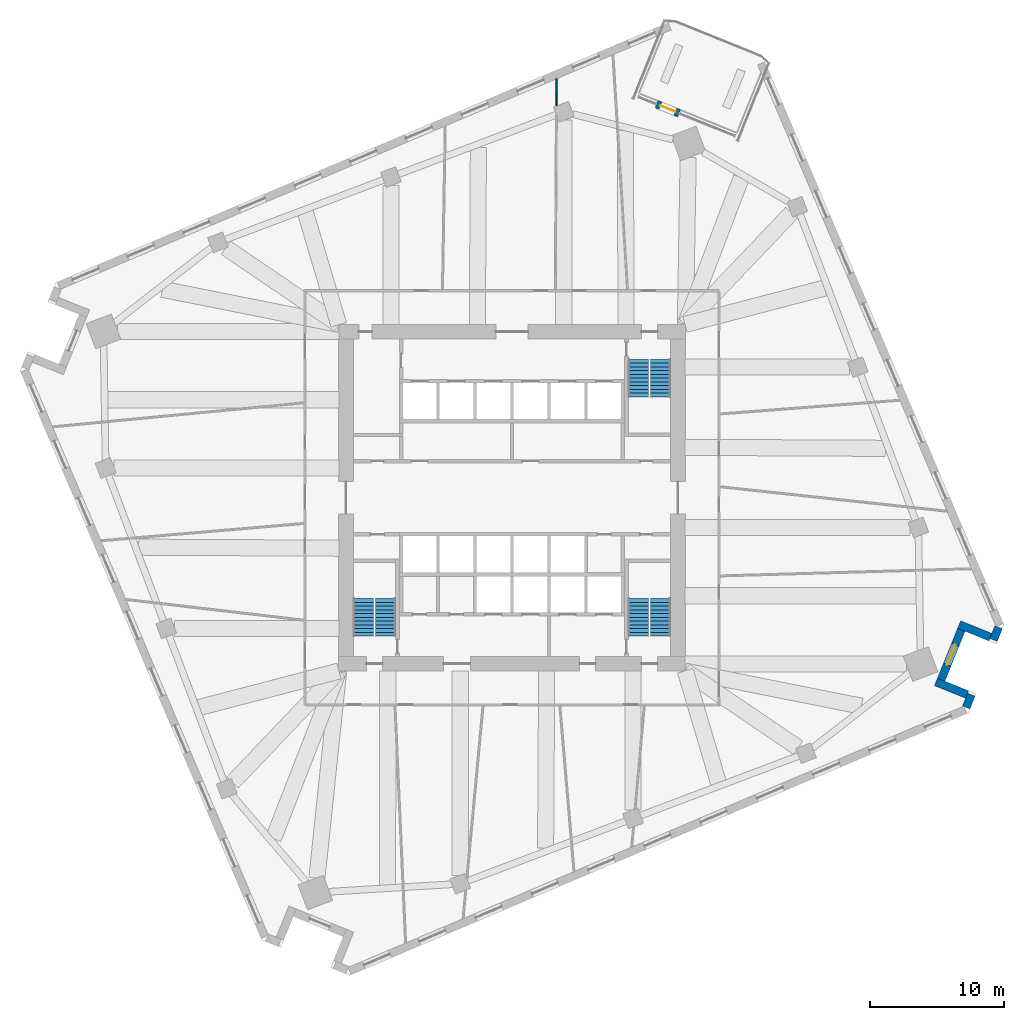
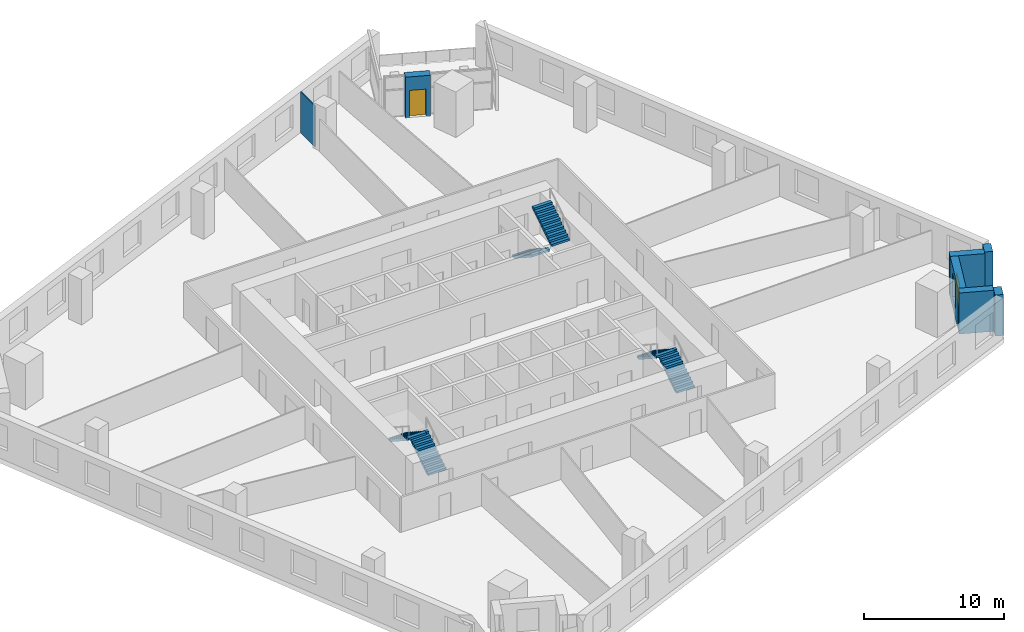
# One storey, part 10 of 12: 7 walls, 6 stair flights, 1 door, 1 window, 2 openings, 3 elements without a shape of their own.
"""IFC4 building model written with IfcOpenShell, lengths in metres."""

from ifc_helpers import new_model, si_unit, direction, frame, frame_2d, origin, place, context, subcontext, project, spatial, polyline, rectangle, outline, extrude, material, layer, layer_set, type_object, element, fill, aggregate, save


model = new_model("IFC4")

# Units and contexts
model_context = context("Model", 3, precision=1e-05, world=origin(), true_north=direction((0.0, 1.0)))
body_context = subcontext(model_context, "Body", "Model", "MODEL_VIEW")
ifc_project = project(units=[si_unit("LENGTHUNIT", "METRE"), si_unit("AREAUNIT", "SQUARE_METRE"), si_unit("VOLUMEUNIT", "CUBIC_METRE"), si_unit("PLANEANGLEUNIT", "RADIAN"), si_unit("MASSUNIT", "GRAM", prefix="KILO")], contexts=[model_context])

# Site, building, storey
site_placement = place(None, origin())
site = spatial("IfcSite", under=ifc_project, at=site_placement, CompositionType="ELEMENT")
building_placement = place(site_placement, origin())
building = spatial("IfcBuilding", under=site, at=building_placement, Name="Dilmun Exchange Tower", CompositionType="ELEMENT")
storey_placement = place(building_placement, frame((0.0, 0.0, 118.10009765625)))
storey = spatial("IfcBuildingStorey", under=building, at=storey_placement, Name="L27", CompositionType="ELEMENT", Elevation=118.10009765625)

# Walls
ifc_material_1 = material(Name="Partition 100")
ifc_layer_1 = layer(ifc_material_1, 0.10009765625)
ifc_layer_set_1 = layer_set([ifc_layer_1], Name="Partition 100")
wall_type_1 = type_object("IfcWallType", Name="Partition 100", PredefinedType="PARTITIONING", material=ifc_layer_set_1)
wall_1_placement = place(storey_placement, frame((3.31005859375, 29.150390625, 0.0), z_axis=(0.0, 0.0, 1.0), x_axis=(0.006392343161, 0.999979568766, 0.0)))
element("IfcWall", 1, at=wall_1_placement, inside=storey, type_object=wall_type_1, Name="Partition", PredefinedType="PARTITIONING", context=body_context, shape_type="SweptSolid", body=[
    extrude(rectangle(XDim=2.024169921875, YDim=0.10009765625, at=frame_2d((1.01220703125, 0.0))), origin(), (0.0, 0.0, 1.0), 3.579833984375),
])
ifc_material_2 = material(Name="Precast concrete C50/60", Category="concrete")
ifc_layer_2 = layer(ifc_material_2, 0.60009765625)
ifc_layer_set_2 = layer_set([ifc_layer_2], Name="Precast concrete C50/60")
wall_type_2 = type_object("IfcWallType", Name="Precast stone-clad wall 600", PredefinedType="STANDARD", material=ifc_layer_set_2)
wall_2_placement = place(storey_placement, frame((33.79638671875, -15.5927734375, 0.0), z_axis=(0.0, 0.0, 1.0), x_axis=(0.374718526687, 0.92713862273, 0.0)))
element("IfcWall", 2, at=wall_2_placement, inside=storey, type_object=wall_type_2, Name="Facade wall L27-16", PredefinedType="STANDARD", context=body_context, shape_type="SweptSolid", body=[
    extrude(rectangle(XDim=1.01123046875, YDim=0.60009765625, at=frame_2d((0.505615234375, 0.0))), origin(), (0.0, 0.0, 1.0), 3.579833984375),
])
wall_3_placement = place(storey_placement, frame((33.859619140625, -14.635498046875, 0.0), z_axis=(0.0, 0.0, 1.0), x_axis=(-0.927177918056, 0.374621286461, 0.0)))
element("IfcWall", 3, at=wall_3_placement, inside=storey, type_object=wall_type_2, Name="Facade wall L27-17", PredefinedType="STANDARD", context=body_context, shape_type="SweptSolid", body=[
    extrude(rectangle(XDim=2.5, YDim=0.60009765625, at=frame_2d((1.25, 0.0))), origin(), (0.0, 0.0, 1.0), 3.579833984375),
])

# Wall, opening, window
wall_4_placement = place(storey_placement, frame((31.93212890625, -13.533203125, 0.0), z_axis=(0.0, 0.0, 1.0), x_axis=(0.374629554127, 0.927174577507, 0.0)))
wall_4 = element("IfcWall", 4, at=wall_4_placement, inside=storey, type_object=wall_type_2, Name="Facade wall L27-18", PredefinedType="STANDARD", context=body_context, shape_type="SweptSolid", body=[
    extrude(rectangle(XDim=4.0, YDim=0.60009765625, at=frame_2d((2.0, 0.0))), origin(), (0.0, 0.0, 1.0), 3.579833984375),
])
opening_1_placement = place(wall_4_placement, frame((1.199951171875, 0.0, 0.89990234375)))
opening_1 = element("IfcOpeningElement", 5, at=opening_1_placement, cuts=wall_4, Name="Opening W160-210", PredefinedType="OPENING", context=body_context, shape_type="SweptSolid", body=[
    extrude(rectangle(XDim=1.60009765625, YDim=2.10009765625, at=frame_2d((0.800048828125, 1.050048828125))), frame((0.0, 0.31005859375, 0.0), z_axis=(0.0, -1.0, 0.0), x_axis=(1.0, 0.0, 0.0)), (0.0, 0.0, 1.0), 0.6201171875),
])
ifc_material_3 = material(Name="Clear low-emissivity glass in aluminium frame", Category="aluminium")
window_type = type_object("IfcWindowType", Name="Punched window 1600 x 2100", PartitioningType="DOUBLE_PANEL_VERTICAL", PredefinedType="WINDOW", material=ifc_material_3)
window_placement = place(opening_1_placement, origin())
window = element("IfcWindow", 6, at=window_placement, inside=storey, type_object=window_type, Name="Window 19.1", OverallHeight=2.10009765625, OverallWidth=1.60009765625, PartitioningType="SINGLE_PANEL", PredefinedType="WINDOW", context=body_context, shape_type="SweptSolid", body=[
    extrude(rectangle(XDim=1.60009765625, YDim=2.10009765625, at=frame_2d((0.800048828125, 1.050048828125))), frame((0.0, 0.030029296875, 0.0), z_axis=(0.0, -1.0, 0.0), x_axis=(1.0, 0.0, 0.0)), (0.0, 0.0, 1.0), 0.06005859375),
])
fill(opening_1, window)

# Walls
wall_5_placement = place(storey_placement, frame((33.264892578125, -9.43408203125, 0.0), z_axis=(0.0, 0.0, 1.0), x_axis=(0.927177918056, -0.374621286461, 0.0)))
element("IfcWall", 7, at=wall_5_placement, inside=storey, type_object=wall_type_2, Name="Facade wall L27-19", PredefinedType="STANDARD", context=body_context, shape_type="SweptSolid", body=[
    extrude(rectangle(XDim=2.5, YDim=0.60009765625, at=frame_2d((1.25, 0.0))), origin(), (0.0, 0.0, 1.0), 3.579833984375),
])
wall_6_placement = place(storey_placement, frame((35.823486328125, -10.57568359375, 0.0), z_axis=(0.0, 0.0, 1.0), x_axis=(0.374634662987, 0.92717251323, 0.0)))
element("IfcWall", 8, at=wall_6_placement, inside=storey, type_object=wall_type_2, Name="Facade wall L27-20", PredefinedType="STANDARD", context=body_context, shape_type="SweptSolid", body=[
    extrude(rectangle(XDim=1.011474609375, YDim=0.60009765625, at=frame_2d((0.505859375, 0.0))), origin(), (0.0, 0.0, 1.0), 3.579833984375),
])

# Wall, opening, door
wall_7_placement = place(storey_placement, frame((12.433837890625, 28.6015625, 0.0), z_axis=(0.0, 0.0, 1.0), x_axis=(-0.927180240316, 0.374615538876, 0.0)))
wall_7 = element("IfcWall", 9, at=wall_7_placement, inside=storey, type_object=wall_type_2, Name="Facade wall L27-01-D", PredefinedType="STANDARD", context=body_context, shape_type="SweptSolid", body=[
    extrude(rectangle(XDim=1.800048828125, YDim=0.60009765625, at=frame_2d((0.89990234375, 0.0))), origin(), (0.0, 0.0, 1.0), 3.579833984375),
])
opening_2_placement = place(wall_7_placement, frame((0.300048828125, 0.0, 0.0)))
opening_2 = element("IfcOpeningElement", 10, at=opening_2_placement, cuts=wall_7, Name="Opening GD-1", PredefinedType="OPENING", context=body_context, shape_type="SweptSolid", body=[
    extrude(rectangle(XDim=1.199951171875, YDim=2.39990234375, at=frame_2d((0.60009765625, 1.199951171875))), frame((0.0, 0.31005859375, 0.0), z_axis=(0.0, -1.0, 0.0), x_axis=(1.0, 0.0, 0.0)), (0.0, 0.0, 1.0), 0.6201171875),
])
door_type = type_object("IfcDoorType", Name="Glazed garden door 1200 x 2400", OperationType="SINGLE_SWING_LEFT", PredefinedType="DOOR", material=ifc_material_3)
door_placement = place(opening_2_placement, origin())
door = element("IfcDoor", 11, at=door_placement, inside=storey, type_object=door_type, Name="Garden terrace door", OperationType="SINGLE_SWING_LEFT", OverallHeight=2.39990234375, OverallWidth=1.199951171875, PredefinedType="DOOR", context=body_context, shape_type="SweptSolid", body=[
    extrude(rectangle(XDim=1.199951171875, YDim=2.39990234375, at=frame_2d((0.60009765625, 1.199951171875))), frame((0.0, 0.02490234375, 0.0), z_axis=(0.0, -1.0, 0.0), x_axis=(1.0, 0.0, 0.0)), (0.0, 0.0, 1.0), 0.050048828125),
])
fill(opening_2, door)

# Stair, stair flights
ifc_material_4 = material(Name="Concrete C40/50", Category="concrete")
stair_type = type_object("IfcStairType", Name="Exit stair 1500 half-turn", PredefinedType="HALF_TURN_STAIR", material=ifc_material_4)
stair_1_placement = place(storey_placement, origin())
stair_1 = element("IfcStair", 12, at=stair_1_placement, inside=storey, type_object=stair_type, Name="L27 Protected exit stair ST1", PredefinedType="HALF_TURN_STAIR")
stair_flight_type = type_object("IfcStairFlightType", Name="Exit stair flight 1500", PredefinedType="STRAIGHT", material=ifc_material_4)
stair_flight_1_placement = place(storey_placement, frame((9.39990234375, 10.300048828125, 0.0), z_axis=(0.0, 0.0, 1.0), x_axis=(0.0, -1.0, 0.0)))
stair_flight_1 = element("IfcStairFlight", 13, at=stair_flight_1_placement, type_object=stair_flight_type, Name="ST1 flight 1", NumberOfRisers=11, NumberOfTreads=10, PredefinedType="STRAIGHT", RiserHeight=0.181818182, TreadLength=0.28, context=body_context, shape_type="SweptSolid", body=[
    extrude(outline(polyline([(0.0, 0.0), (0.0, 0.181884765625), (0.280029296875, 0.181884765625), (0.280029296875, 0.363525390625), (0.56005859375, 0.363525390625), (0.56005859375, 0.54541015625), (0.840087890625, 0.54541015625), (0.840087890625, 0.727294921875), (1.1201171875, 0.727294921875), (1.1201171875, 0.9091796875), (1.39990234375, 0.9091796875), (1.39990234375, 1.0908203125), (1.679931640625, 1.0908203125), (1.679931640625, 1.272705078125), (1.9599609375, 1.272705078125), (1.9599609375, 1.45458984375), (2.239990234375, 1.45458984375), (2.239990234375, 1.636474609375), (2.52001953125, 1.636474609375), (2.52001953125, 1.818115234375), (2.800048828125, 1.818115234375), (2.800048828125, 2.0), (2.800048828125, 1.639404296875), (0.275146484375, 0.0), (0.0, 0.0)])), frame((0.0, 0.75, 0.0), z_axis=(0.0, -1.0, 0.0), x_axis=(1.0, 0.0, 0.0)), (0.0, 0.0, 1.0), 1.5),
])
stair_flight_2_placement = place(storey_placement, frame((11.050048828125, 7.5, 2.0), z_axis=(0.0, 0.0, 1.0), x_axis=(0.0, 1.0, 0.0)))
stair_flight_2 = element("IfcStairFlight", 14, at=stair_flight_2_placement, type_object=stair_flight_type, Name="ST1 flight 2", NumberOfRisers=11, NumberOfTreads=10, PredefinedType="STRAIGHT", RiserHeight=0.181818182, TreadLength=0.28, context=body_context, shape_type="SweptSolid", body=[
    extrude(outline(polyline([(0.0, 0.0), (0.0, 0.181884765625), (0.280029296875, 0.181884765625), (0.280029296875, 0.363525390625), (0.56005859375, 0.363525390625), (0.56005859375, 0.54541015625), (0.840087890625, 0.54541015625), (0.840087890625, 0.727294921875), (1.1201171875, 0.727294921875), (1.1201171875, 0.9091796875), (1.39990234375, 0.9091796875), (1.39990234375, 1.0908203125), (1.679931640625, 1.0908203125), (1.679931640625, 1.272705078125), (1.9599609375, 1.272705078125), (1.9599609375, 1.45458984375), (2.239990234375, 1.45458984375), (2.239990234375, 1.636474609375), (2.52001953125, 1.636474609375), (2.52001953125, 1.818115234375), (2.800048828125, 1.818115234375), (2.800048828125, 2.0), (2.800048828125, 1.639404296875), (0.275146484375, 0.0), (0.0, 0.0)])), frame((0.0, 0.75, 0.0), z_axis=(0.0, -1.0, 0.0), x_axis=(1.0, 0.0, 0.0)), (0.0, 0.0, 1.0), 1.5),
])
aggregate(stair_1, [stair_flight_1, stair_flight_2])

stair_2_placement = place(storey_placement, origin())
stair_2 = element("IfcStair", 15, at=stair_2_placement, inside=storey, type_object=stair_type, Name="L27 Protected exit stair ST2", PredefinedType="HALF_TURN_STAIR")
stair_flight_3_placement = place(storey_placement, frame((-9.39990234375, -10.300048828125, 0.0), z_axis=(0.0, 0.0, 1.0), x_axis=(0.0, 1.0, 0.0)))
stair_flight_3 = element("IfcStairFlight", 16, at=stair_flight_3_placement, type_object=stair_flight_type, Name="ST2 flight 1", NumberOfRisers=11, NumberOfTreads=10, PredefinedType="STRAIGHT", RiserHeight=0.181818182, TreadLength=0.28, context=body_context, shape_type="SweptSolid", body=[
    extrude(outline(polyline([(0.0, 0.0), (0.0, 0.181884765625), (0.280029296875, 0.181884765625), (0.280029296875, 0.363525390625), (0.56005859375, 0.363525390625), (0.56005859375, 0.54541015625), (0.840087890625, 0.54541015625), (0.840087890625, 0.727294921875), (1.1201171875, 0.727294921875), (1.1201171875, 0.9091796875), (1.39990234375, 0.9091796875), (1.39990234375, 1.0908203125), (1.679931640625, 1.0908203125), (1.679931640625, 1.272705078125), (1.9599609375, 1.272705078125), (1.9599609375, 1.45458984375), (2.239990234375, 1.45458984375), (2.239990234375, 1.636474609375), (2.52001953125, 1.636474609375), (2.52001953125, 1.818115234375), (2.800048828125, 1.818115234375), (2.800048828125, 2.0), (2.800048828125, 1.639404296875), (0.275146484375, 0.0), (0.0, 0.0)])), frame((0.0, 0.75, 0.0), z_axis=(0.0, -1.0, 0.0), x_axis=(1.0, 0.0, 0.0)), (0.0, 0.0, 1.0), 1.5),
])
stair_flight_4_placement = place(storey_placement, frame((-11.050048828125, -7.5, 2.0), z_axis=(0.0, 0.0, 1.0), x_axis=(0.0, -1.0, 0.0)))
stair_flight_4 = element("IfcStairFlight", 17, at=stair_flight_4_placement, type_object=stair_flight_type, Name="ST2 flight 2", NumberOfRisers=11, NumberOfTreads=10, PredefinedType="STRAIGHT", RiserHeight=0.181818182, TreadLength=0.28, context=body_context, shape_type="SweptSolid", body=[
    extrude(outline(polyline([(0.0, 0.0), (0.0, 0.181884765625), (0.280029296875, 0.181884765625), (0.280029296875, 0.363525390625), (0.56005859375, 0.363525390625), (0.56005859375, 0.54541015625), (0.840087890625, 0.54541015625), (0.840087890625, 0.727294921875), (1.1201171875, 0.727294921875), (1.1201171875, 0.9091796875), (1.39990234375, 0.9091796875), (1.39990234375, 1.0908203125), (1.679931640625, 1.0908203125), (1.679931640625, 1.272705078125), (1.9599609375, 1.272705078125), (1.9599609375, 1.45458984375), (2.239990234375, 1.45458984375), (2.239990234375, 1.636474609375), (2.52001953125, 1.636474609375), (2.52001953125, 1.818115234375), (2.800048828125, 1.818115234375), (2.800048828125, 2.0), (2.800048828125, 1.639404296875), (0.275146484375, 0.0), (0.0, 0.0)])), frame((0.0, 0.75, 0.0), z_axis=(0.0, -1.0, 0.0), x_axis=(1.0, 0.0, 0.0)), (0.0, 0.0, 1.0), 1.5),
])
aggregate(stair_2, [stair_flight_3, stair_flight_4])

stair_3_placement = place(storey_placement, origin())
stair_3 = element("IfcStair", 18, at=stair_3_placement, inside=storey, type_object=stair_type, Name="L27 Protected exit stair ST3", PredefinedType="HALF_TURN_STAIR")
stair_flight_5_placement = place(storey_placement, frame((11.050048828125, -10.300048828125, 0.0), z_axis=(0.0, 0.0, 1.0), x_axis=(0.0, 1.0, 0.0)))
stair_flight_5 = element("IfcStairFlight", 19, at=stair_flight_5_placement, type_object=stair_flight_type, Name="ST3 flight 1", NumberOfRisers=11, NumberOfTreads=10, PredefinedType="STRAIGHT", RiserHeight=0.181818182, TreadLength=0.28, context=body_context, shape_type="SweptSolid", body=[
    extrude(outline(polyline([(0.0, 0.0), (0.0, 0.181884765625), (0.280029296875, 0.181884765625), (0.280029296875, 0.363525390625), (0.56005859375, 0.363525390625), (0.56005859375, 0.54541015625), (0.840087890625, 0.54541015625), (0.840087890625, 0.727294921875), (1.1201171875, 0.727294921875), (1.1201171875, 0.9091796875), (1.39990234375, 0.9091796875), (1.39990234375, 1.0908203125), (1.679931640625, 1.0908203125), (1.679931640625, 1.272705078125), (1.9599609375, 1.272705078125), (1.9599609375, 1.45458984375), (2.239990234375, 1.45458984375), (2.239990234375, 1.636474609375), (2.52001953125, 1.636474609375), (2.52001953125, 1.818115234375), (2.800048828125, 1.818115234375), (2.800048828125, 2.0), (2.800048828125, 1.639404296875), (0.275146484375, 0.0), (0.0, 0.0)])), frame((0.0, 0.75, 0.0), z_axis=(0.0, -1.0, 0.0), x_axis=(1.0, 0.0, 0.0)), (0.0, 0.0, 1.0), 1.5),
])
stair_flight_6_placement = place(storey_placement, frame((9.39990234375, -7.5, 2.0), z_axis=(0.0, 0.0, 1.0), x_axis=(0.0, -1.0, 0.0)))
stair_flight_6 = element("IfcStairFlight", 20, at=stair_flight_6_placement, type_object=stair_flight_type, Name="ST3 flight 2", NumberOfRisers=11, NumberOfTreads=10, PredefinedType="STRAIGHT", RiserHeight=0.181818182, TreadLength=0.28, context=body_context, shape_type="SweptSolid", body=[
    extrude(outline(polyline([(0.0, 0.0), (0.0, 0.181884765625), (0.280029296875, 0.181884765625), (0.280029296875, 0.363525390625), (0.56005859375, 0.363525390625), (0.56005859375, 0.54541015625), (0.840087890625, 0.54541015625), (0.840087890625, 0.727294921875), (1.1201171875, 0.727294921875), (1.1201171875, 0.9091796875), (1.39990234375, 0.9091796875), (1.39990234375, 1.0908203125), (1.679931640625, 1.0908203125), (1.679931640625, 1.272705078125), (1.9599609375, 1.272705078125), (1.9599609375, 1.45458984375), (2.239990234375, 1.45458984375), (2.239990234375, 1.636474609375), (2.52001953125, 1.636474609375), (2.52001953125, 1.818115234375), (2.800048828125, 1.818115234375), (2.800048828125, 2.0), (2.800048828125, 1.639404296875), (0.275146484375, 0.0), (0.0, 0.0)])), frame((0.0, 0.75, 0.0), z_axis=(0.0, -1.0, 0.0), x_axis=(1.0, 0.0, 0.0)), (0.0, 0.0, 1.0), 1.5),
])
aggregate(stair_3, [stair_flight_5, stair_flight_6])

save(model, "model.ifc")
